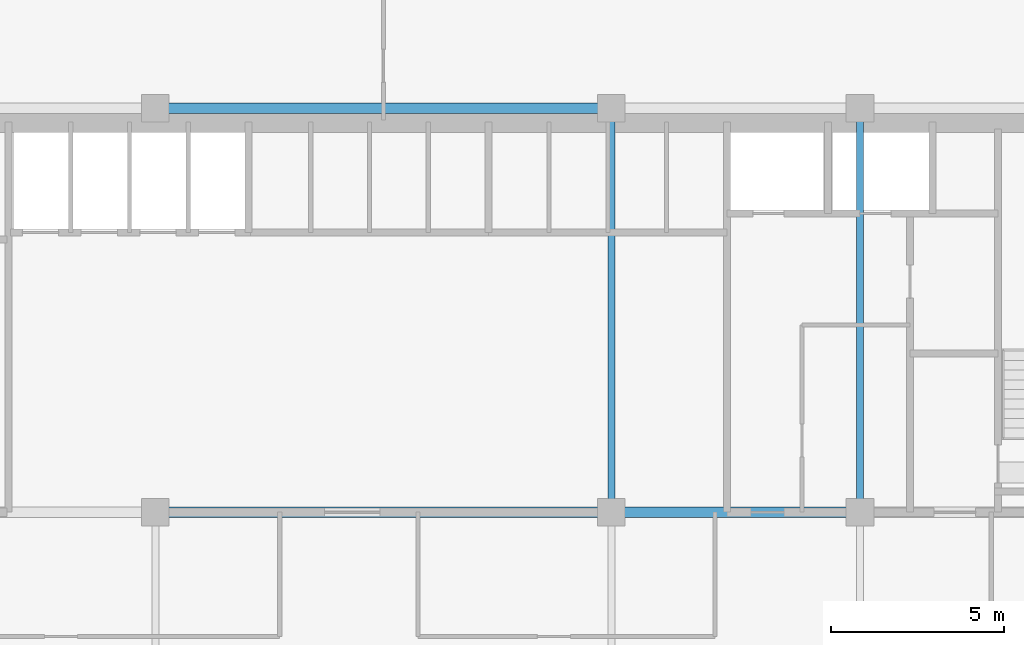
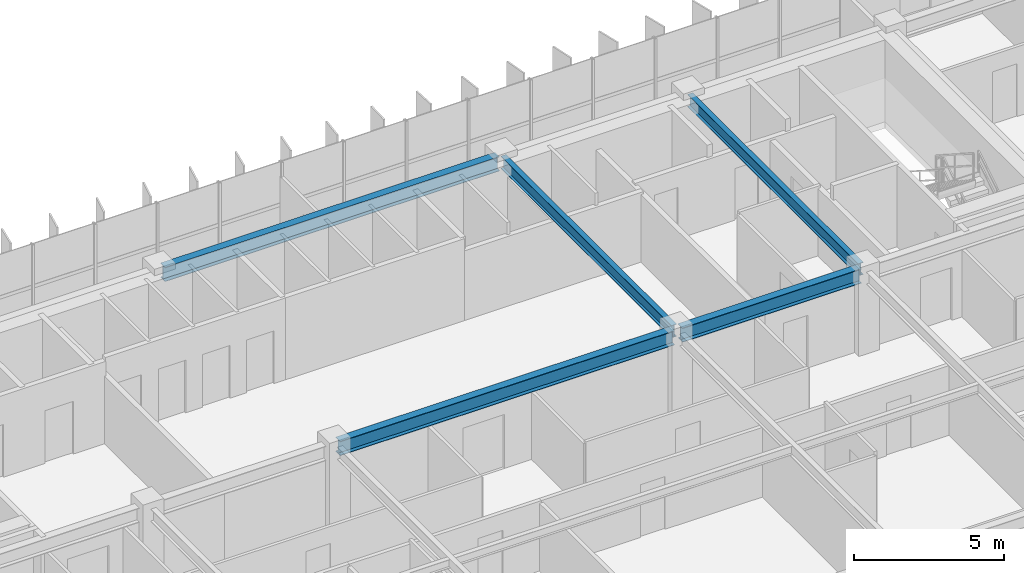
# One storey, part 8 of 22: 5 beams.
"""IFC4 building model written with IfcOpenShell, lengths in metres."""

from ifc_helpers import new_model, si_unit, direction, frame, origin, origin_2d, place, context, subcontext, project, spatial, i_section, extrude, source, transform, mapped, material, material_profile, profile_set, type_object, element, save


model = new_model("IFC4")

# Units and contexts
model_context = context("Model", 3, precision=1e-05, world=origin(), true_north=direction((0.0, 1.0)))
body_context = subcontext(model_context, "Body", "Model", "MODEL_VIEW")
ifc_project = project(units=[si_unit("LENGTHUNIT", "METRE"), si_unit("AREAUNIT", "SQUARE_METRE"), si_unit("VOLUMEUNIT", "CUBIC_METRE"), si_unit("PLANEANGLEUNIT", "RADIAN"), si_unit("MASSUNIT", "GRAM", prefix="KILO")], contexts=[model_context])

# Site, building, storey
site_placement = place(None, origin())
site = spatial("IfcSite", under=ifc_project, at=site_placement, CompositionType="ELEMENT")
building_placement = place(site_placement, origin())
building = spatial("IfcBuilding", under=site, at=building_placement, Name="Trelvane Seafront Commons", CompositionType="ELEMENT")
storey_placement = place(building_placement, frame((0.0, 0.0, 117.699951171875)))
storey = spatial("IfcBuildingStorey", under=building, at=storey_placement, Name="L30", CompositionType="ELEMENT", Elevation=117.699951171875)

# Beams
ifc_material = material(Name="Steel SM355 (S355)", Category="steel")
ifc_material_profile_1 = material_profile(ifc_material, i_section(OverallWidth=0.300048828125, OverallDepth=0.587890625, WebThickness=0.011962890625, FlangeThickness=0.02001953125, at=origin_2d()), Name="H-588x300x12x20")
ifc_profile_set_1 = profile_set([ifc_material_profile_1], Name="Steel SM355 (S355)")
beam_type_1 = type_object("IfcBeamType", Name="STR-BM-H588", PredefinedType="BEAM", material=ifc_profile_set_1)
shared_shape_1 = source(origin(), body_context, "Body", "SweptSolid", [
    extrude(i_section(OverallWidth=0.300048828125, OverallDepth=0.587890625, WebThickness=0.011962890625, FlangeThickness=0.02001953125, at=origin_2d()), origin(), (0.0, 0.0, 1.0), 12.89990234375),
])
for number, where, z_axis, x_axis, name in (
    (1, (30.75, 33.39990234375, 3.046142578125), (1.0, 0.0, 0.0), (0.0, 1.0, 0.0), "L30 Primary Girder G-23"),
    (2, (30.75, 45.10009765625, 3.046142578125), (1.0, 0.0, 0.0), (0.0, 1.0, 0.0), "L30 Primary Girder G-32"),
):
    element("IfcBeam", number, at=place(storey_placement, frame(where, z_axis=z_axis, x_axis=x_axis)), inside=storey, type_object=beam_type_1, Name=name, PredefinedType="BEAM", context=body_context, shape_type="MappedRepresentation", body=[
        mapped(shared_shape_1, transform((0.0, 0.0, 0.0), x_axis=(1.0, 0.0, 0.0), y_axis=(0.0, 1.0, 0.0), z_axis=(0.0, 0.0, 1.0), scale=1.0)),
    ])
shared_shape_2 = source(origin(), body_context, "Body", "SweptSolid", [
    extrude(i_section(OverallWidth=0.300048828125, OverallDepth=0.587890625, WebThickness=0.011962890625, FlangeThickness=0.02001953125, at=origin_2d()), origin(), (0.0, 0.0, 1.0), 6.900146484375),
])
beam_placement = place(storey_placement, frame((43.949951171875, 33.39990234375, 3.046142578125), z_axis=(1.0, 0.0, 0.0), x_axis=(0.0, 1.0, 0.0)))
element("IfcBeam", 3, at=beam_placement, inside=storey, type_object=beam_type_1, Name="L30 Primary Girder G-24", PredefinedType="BEAM", context=body_context, shape_type="MappedRepresentation", body=[
    mapped(shared_shape_2, transform((0.0, 0.0, 0.0), x_axis=(1.0, 0.0, 0.0), y_axis=(0.0, 1.0, 0.0), z_axis=(0.0, 0.0, 1.0), scale=1.0)),
])
ifc_material_profile_2 = material_profile(ifc_material, i_section(OverallWidth=0.199951171875, OverallDepth=0.5, WebThickness=0.010009765625, FlangeThickness=0.01611328125, at=origin_2d()), Name="H-500x200x10x16")
ifc_profile_set_2 = profile_set([ifc_material_profile_2], Name="Steel SM355 (S355)")
beam_type_2 = type_object("IfcBeamType", Name="STR-BM-H500", PredefinedType="BEAM", material=ifc_profile_set_2)
shared_shape_3 = source(origin(), body_context, "Body", "SweptSolid", [
    extrude(i_section(OverallWidth=0.199951171875, OverallDepth=0.5, WebThickness=0.010009765625, FlangeThickness=0.01611328125, at=origin_2d()), origin(), (0.0, 0.0, 1.0), 11.39990234375),
])
for number, where, z_axis, x_axis, name in (
    (4, (43.800048828125, 33.550048828125, 3.090087890625), (0.0, 1.0, 0.0), (-1.0, 0.0, 0.0), "L30 Primary Girder G-54"),
    (5, (51.0, 33.550048828125, 3.090087890625), (0.0, 1.0, 0.0), (-1.0, 0.0, 0.0), "L30 Primary Girder G-57"),
):
    element("IfcBeam", number, at=place(storey_placement, frame(where, z_axis=z_axis, x_axis=x_axis)), inside=storey, type_object=beam_type_2, Name=name, PredefinedType="BEAM", context=body_context, shape_type="MappedRepresentation", body=[
        mapped(shared_shape_3, transform((0.0, 0.0, 0.0), x_axis=(1.0, 0.0, 0.0), y_axis=(0.0, 1.0, 0.0), z_axis=(0.0, 0.0, 1.0), scale=1.0)),
    ])

save(model, "model.ifc")
